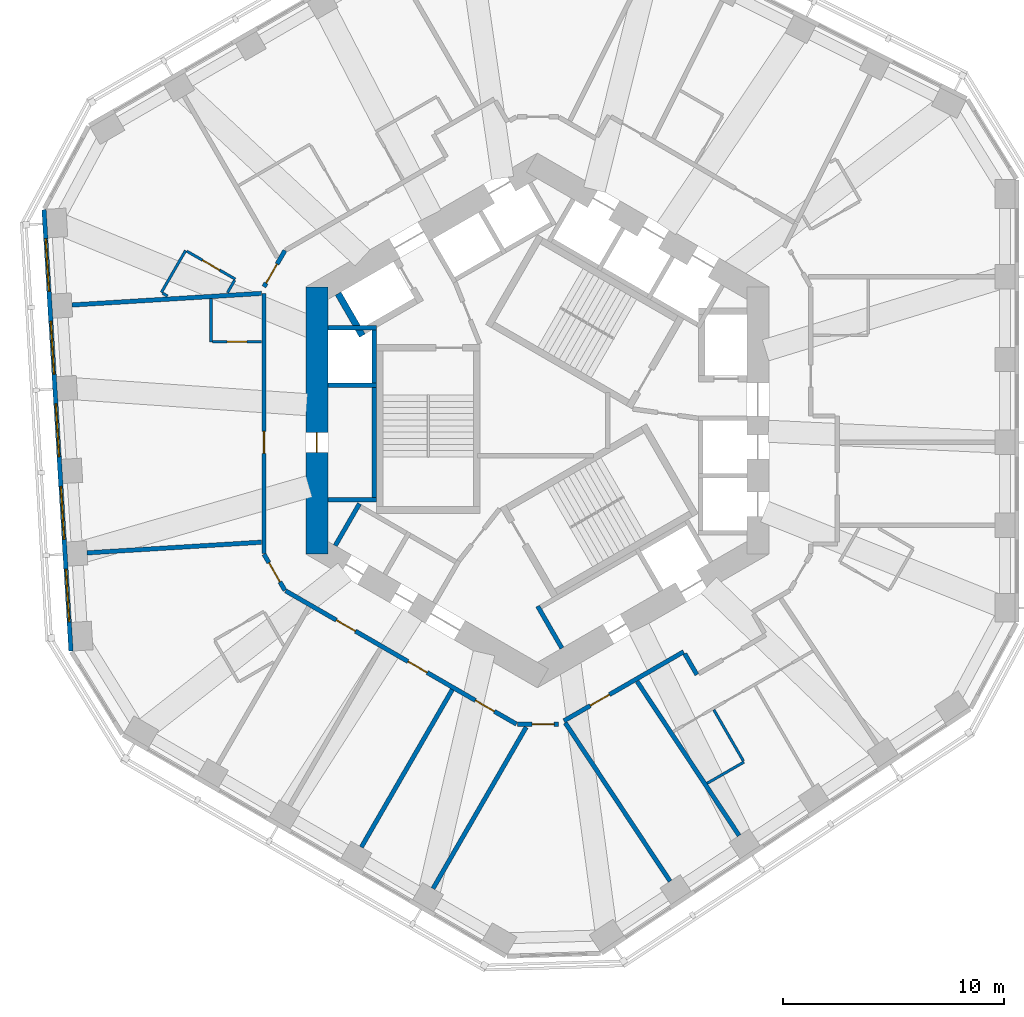
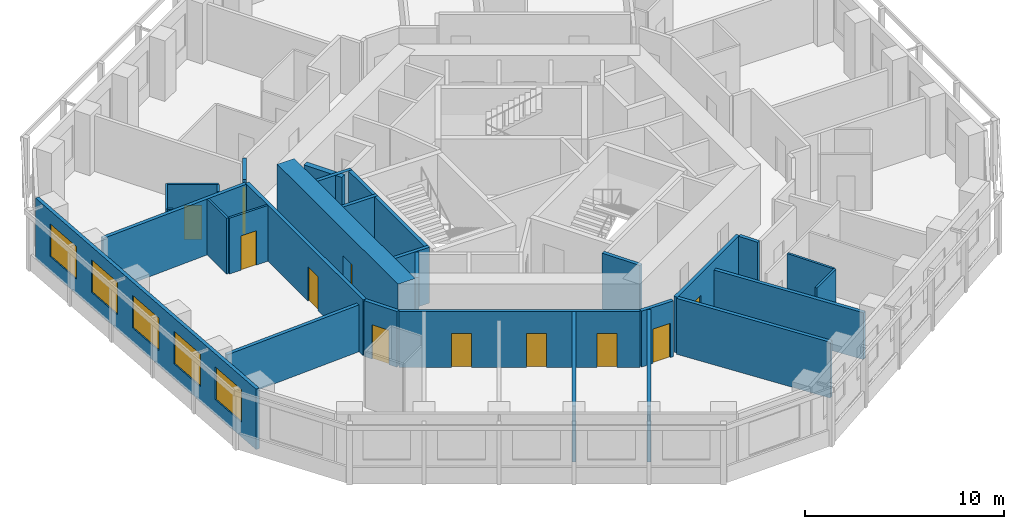
# One storey, part 4 of 11: 30 walls, 11 doors, 5 windows, 16 openings.
"""IFC4 building model written with IfcOpenShell, lengths in metres."""

from ifc_helpers import new_model, si_unit, direction, frame, frame_2d, origin, place, context, subcontext, project, spatial, rectangle, extrude, material, layer, layer_set, type_object, element, fill, save


model = new_model("IFC4")

# Units and contexts
model_context = context("Model", 3, precision=1e-05, world=origin(), true_north=direction((0.0, 1.0)))
body_context = subcontext(model_context, "Body", "Model", "MODEL_VIEW")
ifc_project = project(units=[si_unit("LENGTHUNIT", "METRE"), si_unit("AREAUNIT", "SQUARE_METRE"), si_unit("VOLUMEUNIT", "CUBIC_METRE"), si_unit("PLANEANGLEUNIT", "RADIAN"), si_unit("MASSUNIT", "GRAM", prefix="KILO")], contexts=[model_context])

# Site, building, storey
site_placement = place(None, origin())
site = spatial("IfcSite", under=ifc_project, at=site_placement, CompositionType="ELEMENT")
building_placement = place(site_placement, origin())
building = spatial("IfcBuilding", under=site, at=building_placement, Name="Vanh Sen Convention Tower", CompositionType="ELEMENT")
storey_placement = place(building_placement, frame((0.0, 0.0, 128.10009765625)))
storey = spatial("IfcBuildingStorey", under=building, at=storey_placement, Name="L31", CompositionType="ELEMENT", Elevation=128.10009765625)

# Walls
ifc_material_1 = material(Name="Moisture-resistant gypsum board on steel studs", Category="steel")
ifc_layer_1 = layer(ifc_material_1, 0.1201171875)
ifc_layer_set_1 = layer_set([ifc_layer_1], Name="Moisture-resistant gypsum board on steel studs")
wall_type_1 = type_object("IfcWallType", Name="Bathroom partition 120", PredefinedType="PARTITIONING", material=ifc_layer_set_1)
wall_1_placement = place(storey_placement, frame((-17.052490234375, 5.8037109375, 0.0), z_axis=(0.0, 0.0, 1.0), x_axis=(0.50002983664, 0.866008176907, 0.0)))
element("IfcWall", 1, at=wall_1_placement, inside=storey, type_object=wall_type_1, Name="Bathroom partition 120", PredefinedType="PARTITIONING", context=body_context, shape_type="SweptSolid", body=[
    extrude(rectangle(XDim=2.199951171875, YDim=0.1201171875, at=frame_2d((1.10009765625, 0.0))), origin(), (0.0, 0.0, 1.0), 3.419921875),
])
wall_2_placement = place(storey_placement, frame((-16.769287109375, 5.64013671875, 0.0), z_axis=(0.0, 0.0, 1.0), x_axis=(-0.865926680471, 0.500170954823, 0.0)))
element("IfcWall", 2, at=wall_2_placement, inside=storey, type_object=wall_type_1, Name="Bathroom partition 120", PredefinedType="PARTITIONING", context=body_context, shape_type="SweptSolid", body=[
    extrude(rectangle(XDim=0.26708984375, YDim=0.1201171875, at=frame_2d((0.133544921875, 0.0))), origin(), (0.0, 0.0, 1.0), 3.419921875),
])

# Wall, opening, door
wall_3_placement = place(storey_placement, frame((-15.900390625, 7.67919921875, 0.0), z_axis=(0.0, 0.0, 1.0), x_axis=(0.866022320763, -0.500005339912, 0.0)))
wall_3 = element("IfcWall", 3, at=wall_3_placement, inside=storey, type_object=wall_type_1, Name="Bathroom partition 120", PredefinedType="PARTITIONING", context=body_context, shape_type="SweptSolid", body=[
    extrude(rectangle(XDim=2.5400390625, YDim=0.1201171875, at=frame_2d((1.27001953125, 0.0))), origin(), (0.0, 0.0, 1.0), 3.419921875),
])
opening_1_placement = place(wall_3_placement, frame((0.820068359375, 0.0, 0.0)))
opening_1 = element("IfcOpeningElement", 4, at=opening_1_placement, cuts=wall_3, Name="Opening D30114", PredefinedType="OPENING", context=body_context, shape_type="SweptSolid", body=[
    extrude(rectangle(XDim=0.89990234375, YDim=2.10009765625, at=frame_2d((0.449951171875, 1.050048828125))), frame((0.0, 0.070068359375, 0.0), z_axis=(0.0, -1.0, 0.0), x_axis=(1.0, 0.0, 0.0)), (0.0, 0.0, 1.0), 0.14013671875),
])
ifc_material_2 = material(Name="Laminate door in steel frame", Category="steel")
door_type_1 = type_object("IfcDoorType", Name="Room internal door 900", OperationType="SINGLE_SWING_LEFT", PredefinedType="DOOR", material=ifc_material_2)
door_1_placement = place(opening_1_placement, origin())
door_1 = element("IfcDoor", 5, at=door_1_placement, inside=storey, type_object=door_type_1, Name="Internal room door D30114", OperationType="SINGLE_SWING_LEFT", OverallHeight=2.10009765625, OverallWidth=0.89990234375, PredefinedType="DOOR", context=body_context, shape_type="SweptSolid", body=[
    extrude(rectangle(XDim=0.89990234375, YDim=2.10009765625, at=frame_2d((0.449951171875, 1.050048828125))), frame((0.0, 0.02490234375, 0.0), z_axis=(0.0, -1.0, 0.0), x_axis=(1.0, 0.0, 0.0)), (0.0, 0.0, 1.0), 0.050048828125),
])
fill(opening_1, door_1)

# Walls
wall_4_placement = place(storey_placement, frame((-14.800048828125, 3.569091796875, 0.0), z_axis=(0.0, 0.0, 1.0), x_axis=(0.0, 1.0, 0.0)))
element("IfcWall", 6, at=wall_4_placement, inside=storey, type_object=wall_type_1, Name="Bathroom partition 120", PredefinedType="PARTITIONING", context=body_context, shape_type="SweptSolid", body=[
    extrude(rectangle(XDim=1.953369140625, YDim=0.1201171875, at=frame_2d((0.9765625, 0.0))), origin(), (0.0, 0.0, 1.0), 3.419921875),
])
wall_5_placement = place(storey_placement, frame((-13.730712890625, 6.357177734375, 0.0), z_axis=(0.0, 0.0, 1.0), x_axis=(-0.500090215447, -0.865973311606, 0.0)))
element("IfcWall", 7, at=wall_5_placement, inside=storey, type_object=wall_type_1, Name="Bathroom partition 120", PredefinedType="PARTITIONING", context=body_context, shape_type="SweptSolid", body=[
    extrude(rectangle(XDim=0.6513671875, YDim=0.1201171875, at=frame_2d((0.32568359375, 0.0))), origin(), (0.0, 0.0, 1.0), 3.419921875),
])

# Wall, opening, door
wall_6_placement = place(storey_placement, frame((-12.5, 3.569091796875, 0.0), z_axis=(0.0, 0.0, 1.0), x_axis=(-1.0, 0.0, 0.0)))
wall_6 = element("IfcWall", 8, at=wall_6_placement, inside=storey, type_object=wall_type_1, Name="Bathroom partition 120", PredefinedType="PARTITIONING", context=body_context, shape_type="SweptSolid", body=[
    extrude(rectangle(XDim=2.239990234375, YDim=0.1201171875, at=frame_2d((1.1201171875, 0.0))), origin(), (0.0, 0.0, 1.0), 3.419921875),
])
opening_2_placement = place(wall_6_placement, frame((0.669921875, 0.0, 0.0)))
opening_2 = element("IfcOpeningElement", 9, at=opening_2_placement, cuts=wall_6, Name="Opening D30116", PredefinedType="OPENING", context=body_context, shape_type="SweptSolid", body=[
    extrude(rectangle(XDim=0.89990234375, YDim=2.10009765625, at=frame_2d((0.449951171875, 1.050048828125))), frame((0.0, 0.070068359375, 0.0), z_axis=(0.0, -1.0, 0.0), x_axis=(1.0, 0.0, 0.0)), (0.0, 0.0, 1.0), 0.14013671875),
])
door_2_placement = place(opening_2_placement, origin())
door_2 = element("IfcDoor", 10, at=door_2_placement, inside=storey, type_object=door_type_1, Name="Internal room door D30116", OperationType="SINGLE_SWING_LEFT", OverallHeight=2.10009765625, OverallWidth=0.89990234375, PredefinedType="DOOR", context=body_context, shape_type="SweptSolid", body=[
    extrude(rectangle(XDim=0.89990234375, YDim=2.10009765625, at=frame_2d((0.449951171875, 1.050048828125))), frame((0.0, 0.02490234375, 0.0), z_axis=(0.0, -1.0, 0.0), x_axis=(1.0, 0.0, 0.0)), (0.0, 0.0, 1.0), 0.050048828125),
])
fill(opening_2, door_2)

# Walls
wall_7_placement = place(storey_placement, frame((7.699951171875, -16.45556640625, 0.0), z_axis=(0.0, 0.0, 1.0), x_axis=(0.86603803935, 0.499978113919, 0.0)))
element("IfcWall", 11, at=wall_7_placement, inside=storey, type_object=wall_type_1, Name="Bathroom partition 120", PredefinedType="PARTITIONING", context=body_context, shape_type="SweptSolid", body=[
    extrude(rectangle(XDim=1.9287109375, YDim=0.1201171875, at=frame_2d((0.96435546875, 0.0))), origin(), (0.0, 0.0, 1.0), 3.419921875),
])
wall_8_placement = place(storey_placement, frame((9.34033203125, -15.439208984375, 0.0), z_axis=(0.0, 0.0, 1.0), x_axis=(-0.500048396672, 0.86599746015, 0.0)))
element("IfcWall", 12, at=wall_8_placement, inside=storey, type_object=wall_type_1, Name="Bathroom partition 120", PredefinedType="PARTITIONING", context=body_context, shape_type="SweptSolid", body=[
    extrude(rectangle(XDim=2.679931640625, YDim=0.1201171875, at=frame_2d((1.33984375, 0.0))), origin(), (0.0, 0.0, 1.0), 3.419921875),
])

# Wall, opening, door
ifc_material_3 = material(Name="Concrete C80/95", Category="concrete")
ifc_layer_2 = layer(ifc_material_3, 1.0)
ifc_layer_set_2 = layer_set([ifc_layer_2], Name="Concrete C80/95")
wall_type_2 = type_object("IfcWallType", Name="Core outer wall 1000 C80/95", PredefinedType="SHEAR", material=ifc_layer_set_2)
wall_9_placement = place(storey_placement, frame((-10.0, 6.062255859375, 0.0), z_axis=(0.0, 0.0, 1.0), x_axis=(0.0, -1.0, 0.0)))
wall_9 = element("IfcWall", 13, at=wall_9_placement, inside=storey, type_object=wall_type_2, Name="Core wall face W L31", PredefinedType="SHEAR", context=body_context, shape_type="SweptSolid", body=[
    extrude(rectangle(XDim=12.12451171875, YDim=1.0, at=frame_2d((6.062255859375, 0.0))), origin(), (0.0, 0.0, 1.0), 3.699951171875),
])
opening_3_placement = place(wall_9_placement, frame((6.6123046875, 0.0, 0.0)))
opening_3 = element("IfcOpeningElement", 14, at=opening_3_placement, cuts=wall_9, Name="Opening D30010", PredefinedType="OPENING", context=body_context, shape_type="SweptSolid", body=[
    extrude(rectangle(XDim=0.89990234375, YDim=2.10009765625, at=frame_2d((0.449951171875, 1.050048828125))), frame((0.0, 0.510009765625, 0.0), z_axis=(0.0, -1.0, 0.0), x_axis=(1.0, 0.0, 0.0)), (0.0, 0.0, 1.0), 1.02001953125),
])
ifc_material_4 = material(Name="Steel S355", Category="steel")
door_type_2 = type_object("IfcDoorType", Name="Plant door 900", OperationType="SINGLE_SWING_LEFT", PredefinedType="DOOR", material=ifc_material_4)
door_3_placement = place(opening_3_placement, origin())
door_3 = element("IfcDoor", 15, at=door_3_placement, inside=storey, type_object=door_type_2, Name="Plant door D30010", OperationType="SINGLE_SWING_LEFT", OverallHeight=2.10009765625, OverallWidth=0.89990234375, PredefinedType="DOOR", context=body_context, shape_type="SweptSolid", body=[
    extrude(rectangle(XDim=0.89990234375, YDim=2.10009765625, at=frame_2d((0.449951171875, 1.050048828125))), frame((0.0, 0.02490234375, 0.0), z_axis=(0.0, -1.0, 0.0), x_axis=(1.0, 0.0, 0.0)), (0.0, 0.0, 1.0), 0.050048828125),
])
fill(opening_3, door_3)

ifc_material_5 = material(Name="Gypsum board on steel studs with mineral wool", Category="steel")
ifc_layer_3 = layer(ifc_material_5, 0.199951171875)
ifc_layer_set_3 = layer_set([ifc_layer_3], Name="Gypsum board on steel studs with mineral wool")
wall_type_3 = type_object("IfcWallType", Name="Corridor partition wall 200", PredefinedType="PARTITIONING", material=ifc_layer_set_3)
wall_10_placement = place(storey_placement, frame((-12.39990234375, -6.062255859375, 0.0), z_axis=(0.0, 0.0, 1.0), x_axis=(0.500022797313, -0.86601224135, 0.0)))
wall_10 = element("IfcWall", 16, at=wall_10_placement, inside=storey, type_object=wall_type_3, Name="Corridor partition wall 200", PredefinedType="PARTITIONING", context=body_context, shape_type="SweptSolid", body=[
    extrude(rectangle(XDim=1.89990234375, YDim=0.199951171875, at=frame_2d((0.949951171875, 0.0))), origin(), (0.0, 0.0, 1.0), 3.419921875),
])
opening_4_placement = place(wall_10_placement, frame((0.449951171875, 0.0, 0.0)))
opening_4 = element("IfcOpeningElement", 17, at=opening_4_placement, cuts=wall_10, Name="Opening D30117", PredefinedType="OPENING", context=body_context, shape_type="SweptSolid", body=[
    extrude(rectangle(XDim=1.0, YDim=2.10009765625, at=frame_2d((0.5, 1.050048828125))), frame((0.0, 0.10986328125, 0.0), z_axis=(0.0, -1.0, 0.0), x_axis=(1.0, 0.0, 0.0)), (0.0, 0.0, 1.0), 0.219970703125),
])
ifc_material_6 = material(Name="Glazed fire door in steel frame", Category="steel")
door_type_3 = type_object("IfcDoorType", Name="Tenant entrance door 1000", OperationType="SINGLE_SWING_LEFT", PredefinedType="DOOR", material=ifc_material_6)
door_4_placement = place(opening_4_placement, origin())
door_4 = element("IfcDoor", 18, at=door_4_placement, inside=storey, type_object=door_type_3, Name="Tenant suite entrance door D30117", OperationType="SINGLE_SWING_LEFT", OverallHeight=2.10009765625, OverallWidth=1.0, PredefinedType="DOOR", context=body_context, shape_type="SweptSolid", body=[
    extrude(rectangle(XDim=1.0, YDim=2.10009765625, at=frame_2d((0.5, 1.050048828125))), frame((0.0, 0.02490234375, 0.0), z_axis=(0.0, -1.0, 0.0), x_axis=(1.0, 0.0, 0.0)), (0.0, 0.0, 1.0), 0.050048828125),
])
fill(opening_4, door_4)

wall_11_placement = place(storey_placement, frame((-12.39990234375, 5.769287109375, 0.0), z_axis=(0.0, 0.0, 1.0), x_axis=(0.0, -1.0, 0.0)))
wall_11 = element("IfcWall", 19, at=wall_11_placement, inside=storey, type_object=wall_type_3, Name="Corridor partition wall 200", PredefinedType="PARTITIONING", context=body_context, shape_type="SweptSolid", body=[
    extrude(rectangle(XDim=11.79150390625, YDim=0.199951171875, at=frame_2d((5.895751953125, 0.0))), origin(), (0.0, 0.0, 1.0), 3.419921875),
])
opening_5_placement = place(wall_11_placement, frame((6.2666015625, 0.0, 0.0)))
opening_5 = element("IfcOpeningElement", 20, at=opening_5_placement, cuts=wall_11, Name="Opening D30115", PredefinedType="OPENING", context=body_context, shape_type="SweptSolid", body=[
    extrude(rectangle(XDim=1.0, YDim=2.10009765625, at=frame_2d((0.5, 1.050048828125))), frame((0.0, 0.10986328125, 0.0), z_axis=(0.0, -1.0, 0.0), x_axis=(1.0, 0.0, 0.0)), (0.0, 0.0, 1.0), 0.219970703125),
])
door_5_placement = place(opening_5_placement, origin())
door_5 = element("IfcDoor", 21, at=door_5_placement, inside=storey, type_object=door_type_3, Name="Tenant suite entrance door D30115", OperationType="SINGLE_SWING_LEFT", OverallHeight=2.10009765625, OverallWidth=1.0, PredefinedType="DOOR", context=body_context, shape_type="SweptSolid", body=[
    extrude(rectangle(XDim=1.0, YDim=2.10009765625, at=frame_2d((0.5, 1.050048828125))), frame((0.0, 0.02490234375, 0.0), z_axis=(0.0, -1.0, 0.0), x_axis=(1.0, 0.0, 0.0)), (0.0, 0.0, 1.0), 0.050048828125),
])
fill(opening_5, door_5)

wall_12_placement = place(storey_placement, frame((-11.449951171875, 7.70751953125, 0.0), z_axis=(0.0, 0.0, 1.0), x_axis=(-0.500022797313, -0.86601224135, 0.0)))
wall_12 = element("IfcWall", 22, at=wall_12_placement, inside=storey, type_object=wall_type_3, Name="Corridor partition wall 200", PredefinedType="PARTITIONING", context=body_context, shape_type="SweptSolid", body=[
    extrude(rectangle(XDim=1.89990234375, YDim=0.199951171875, at=frame_2d((0.949951171875, 0.0))), origin(), (0.0, 0.0, 1.0), 3.419921875),
])
opening_6_placement = place(wall_12_placement, frame((0.711669921875, 0.0, 0.0)))
opening_6 = element("IfcOpeningElement", 23, at=opening_6_placement, cuts=wall_12, Name="Opening D30113", PredefinedType="OPENING", context=body_context, shape_type="SweptSolid", body=[
    extrude(rectangle(XDim=1.0, YDim=2.10009765625, at=frame_2d((0.5, 1.050048828125))), frame((0.0, 0.10986328125, 0.0), z_axis=(0.0, -1.0, 0.0), x_axis=(1.0, 0.0, 0.0)), (0.0, 0.0, 1.0), 0.219970703125),
])
door_6_placement = place(opening_6_placement, origin())
door_6 = element("IfcDoor", 24, at=door_6_placement, inside=storey, type_object=door_type_3, Name="Tenant suite entrance door D30113", OperationType="SINGLE_SWING_LEFT", OverallHeight=2.10009765625, OverallWidth=1.0, PredefinedType="DOOR", context=body_context, shape_type="SweptSolid", body=[
    extrude(rectangle(XDim=1.0, YDim=2.10009765625, at=frame_2d((0.5, 1.050048828125))), frame((0.0, 0.02490234375, 0.0), z_axis=(0.0, -1.0, 0.0), x_axis=(1.0, 0.0, 0.0)), (0.0, 0.0, 1.0), 0.050048828125),
])
fill(opening_6, door_6)

# Wall, openings, doors
wall_13_placement = place(storey_placement, frame((-11.415283203125, -7.7275390625, 0.0), z_axis=(0.0, 0.0, 1.0), x_axis=(0.866022749921, -0.500004596598, 0.0)))
wall_13 = element("IfcWall", 25, at=wall_13_placement, inside=storey, type_object=wall_type_3, Name="Corridor partition wall 200", PredefinedType="PARTITIONING", context=body_context, shape_type="SweptSolid", body=[
    extrude(rectangle(XDim=12.08447265625, YDim=0.199951171875, at=frame_2d((6.042236328125, 0.0))), origin(), (0.0, 0.0, 1.0), 3.419921875),
])
opening_7_placement = place(wall_13_placement, frame((2.65234375, 0.0, 0.0)))
opening_7 = element("IfcOpeningElement", 26, at=opening_7_placement, cuts=wall_13, Name="Opening D30119", PredefinedType="OPENING", context=body_context, shape_type="SweptSolid", body=[
    extrude(rectangle(XDim=1.0, YDim=2.10009765625, at=frame_2d((0.5, 1.050048828125))), frame((0.0, 0.10986328125, 0.0), z_axis=(0.0, -1.0, 0.0), x_axis=(1.0, 0.0, 0.0)), (0.0, 0.0, 1.0), 0.219970703125),
])
opening_8_placement = place(wall_13_placement, frame((6.406494140625, 0.0, 0.0)))
opening_8 = element("IfcOpeningElement", 27, at=opening_8_placement, cuts=wall_13, Name="Opening D30120", PredefinedType="OPENING", context=body_context, shape_type="SweptSolid", body=[
    extrude(rectangle(XDim=1.0, YDim=2.10009765625, at=frame_2d((0.5, 1.050048828125))), frame((0.0, 0.10986328125, 0.0), z_axis=(0.0, -1.0, 0.0), x_axis=(1.0, 0.0, 0.0)), (0.0, 0.0, 1.0), 0.219970703125),
])
opening_9_placement = place(wall_13_placement, frame((9.93408203125, 0.0, 0.0)))
opening_9 = element("IfcOpeningElement", 28, at=opening_9_placement, cuts=wall_13, Name="Opening D30121", PredefinedType="OPENING", context=body_context, shape_type="SweptSolid", body=[
    extrude(rectangle(XDim=1.0, YDim=2.10009765625, at=frame_2d((0.5, 1.050048828125))), frame((0.0, 0.10986328125, 0.0), z_axis=(0.0, -1.0, 0.0), x_axis=(1.0, 0.0, 0.0)), (0.0, 0.0, 1.0), 0.219970703125),
])
door_7_placement = place(opening_7_placement, origin())
door_7 = element("IfcDoor", 29, at=door_7_placement, inside=storey, type_object=door_type_3, Name="Tenant suite entrance door D30119", OperationType="SINGLE_SWING_LEFT", OverallHeight=2.10009765625, OverallWidth=1.0, PredefinedType="DOOR", context=body_context, shape_type="SweptSolid", body=[
    extrude(rectangle(XDim=1.0, YDim=2.10009765625, at=frame_2d((0.5, 1.050048828125))), frame((0.0, 0.02490234375, 0.0), z_axis=(0.0, -1.0, 0.0), x_axis=(1.0, 0.0, 0.0)), (0.0, 0.0, 1.0), 0.050048828125),
])
fill(opening_7, door_7)
door_8_placement = place(opening_8_placement, origin())
door_8 = element("IfcDoor", 30, at=door_8_placement, inside=storey, type_object=door_type_3, Name="Tenant suite entrance door D30120", OperationType="SINGLE_SWING_LEFT", OverallHeight=2.10009765625, OverallWidth=1.0, PredefinedType="DOOR", context=body_context, shape_type="SweptSolid", body=[
    extrude(rectangle(XDim=1.0, YDim=2.10009765625, at=frame_2d((0.5, 1.050048828125))), frame((0.0, 0.02490234375, 0.0), z_axis=(0.0, -1.0, 0.0), x_axis=(1.0, 0.0, 0.0)), (0.0, 0.0, 1.0), 0.050048828125),
])
fill(opening_8, door_8)
door_9_placement = place(opening_9_placement, origin())
door_9 = element("IfcDoor", 31, at=door_9_placement, inside=storey, type_object=door_type_3, Name="Tenant suite entrance door D30121", OperationType="SINGLE_SWING_LEFT", OverallHeight=2.10009765625, OverallWidth=1.0, PredefinedType="DOOR", context=body_context, shape_type="SweptSolid", body=[
    extrude(rectangle(XDim=1.0, YDim=2.10009765625, at=frame_2d((0.5, 1.050048828125))), frame((0.0, 0.02490234375, 0.0), z_axis=(0.0, -1.0, 0.0), x_axis=(1.0, 0.0, 0.0)), (0.0, 0.0, 1.0), 0.050048828125),
])
fill(opening_9, door_9)

# Wall, opening, door
wall_14_placement = place(storey_placement, frame((-0.909912109375, -13.769775390625, 0.0), z_axis=(0.0, 0.0, 1.0), x_axis=(1.0, 0.0, 0.0)))
wall_14 = element("IfcWall", 32, at=wall_14_placement, inside=storey, type_object=wall_type_3, Name="Corridor partition wall 200", PredefinedType="PARTITIONING", context=body_context, shape_type="SweptSolid", body=[
    extrude(rectangle(XDim=1.85986328125, YDim=0.199951171875, at=frame_2d((0.929931640625, 0.0))), origin(), (0.0, 0.0, 1.0), 3.419921875),
])
opening_10_placement = place(wall_14_placement, frame((0.671630859375, 0.0, 0.0)))
opening_10 = element("IfcOpeningElement", 33, at=opening_10_placement, cuts=wall_14, Name="Opening D30122", PredefinedType="OPENING", context=body_context, shape_type="SweptSolid", body=[
    extrude(rectangle(XDim=1.0, YDim=2.10009765625, at=frame_2d((0.5, 1.050048828125))), frame((0.0, 0.10986328125, 0.0), z_axis=(0.0, -1.0, 0.0), x_axis=(1.0, 0.0, 0.0)), (0.0, 0.0, 1.0), 0.219970703125),
])
door_10_placement = place(opening_10_placement, origin())
door_10 = element("IfcDoor", 34, at=door_10_placement, inside=storey, type_object=door_type_3, Name="Tenant suite entrance door D30122", OperationType="SINGLE_SWING_LEFT", OverallHeight=2.10009765625, OverallWidth=1.0, PredefinedType="DOOR", context=body_context, shape_type="SweptSolid", body=[
    extrude(rectangle(XDim=1.0, YDim=2.10009765625, at=frame_2d((0.5, 1.050048828125))), frame((0.0, 0.02490234375, 0.0), z_axis=(0.0, -1.0, 0.0), x_axis=(1.0, 0.0, 0.0)), (0.0, 0.0, 1.0), 0.050048828125),
])
fill(opening_10, door_10)

wall_15_placement = place(storey_placement, frame((1.20361328125, -13.623291015625, 0.0), z_axis=(0.0, 0.0, 1.0), x_axis=(0.866031867142, 0.49998880497, 0.0)))
wall_15 = element("IfcWall", 35, at=wall_15_placement, inside=storey, type_object=wall_type_3, Name="Corridor partition wall 200", PredefinedType="PARTITIONING", context=body_context, shape_type="SweptSolid", body=[
    extrude(rectangle(XDim=6.268310546875, YDim=0.199951171875, at=frame_2d((3.13427734375, 0.0))), origin(), (0.0, 0.0, 1.0), 3.419921875),
])
opening_11_placement = place(wall_15_placement, frame((1.380615234375, 0.0, 0.0)))
opening_11 = element("IfcOpeningElement", 36, at=opening_11_placement, cuts=wall_15, Name="Opening D30123", PredefinedType="OPENING", context=body_context, shape_type="SweptSolid", body=[
    extrude(rectangle(XDim=1.0, YDim=2.10009765625, at=frame_2d((0.5, 1.050048828125))), frame((0.0, 0.10986328125, 0.0), z_axis=(0.0, -1.0, 0.0), x_axis=(1.0, 0.0, 0.0)), (0.0, 0.0, 1.0), 0.219970703125),
])
door_11_placement = place(opening_11_placement, origin())
door_11 = element("IfcDoor", 37, at=door_11_placement, inside=storey, type_object=door_type_3, Name="Tenant suite entrance door D30123", OperationType="SINGLE_SWING_LEFT", OverallHeight=2.10009765625, OverallWidth=1.0, PredefinedType="DOOR", context=body_context, shape_type="SweptSolid", body=[
    extrude(rectangle(XDim=1.0, YDim=2.10009765625, at=frame_2d((0.5, 1.050048828125))), frame((0.0, 0.02490234375, 0.0), z_axis=(0.0, -1.0, 0.0), x_axis=(1.0, 0.0, 0.0)), (0.0, 0.0, 1.0), 0.050048828125),
])
fill(opening_11, door_11)

# Wall
wall_16_placement = place(storey_placement, frame((6.68212890625, -10.57568359375, 0.0), z_axis=(0.0, 0.0, 1.0), x_axis=(0.499978356969, -0.866037899034, 0.0)))
element("IfcWall", 38, at=wall_16_placement, inside=storey, type_object=wall_type_3, Name="Corridor partition wall 200", PredefinedType="PARTITIONING", context=body_context, shape_type="SweptSolid", body=[
    extrude(rectangle(XDim=1.10107421875, YDim=0.199951171875, at=frame_2d((0.550537109375, 0.0))), origin(), (0.0, 0.0, 1.0), 3.419921875),
])

# Wall, openings, windows
ifc_material_7 = material(Name="Insulated lightweight infill wall")
ifc_layer_4 = layer(ifc_material_7, 0.199951171875)
ifc_layer_set_4 = layer_set([ifc_layer_4], Name="Insulated lightweight infill wall")
wall_type_4 = type_object("IfcWallType", Name="External wall 200", PredefinedType="STANDARD", material=ifc_layer_set_4)
wall_17_placement = place(storey_placement, frame((-22.375, 9.55712890625, 0.0), z_axis=(0.0, 0.0, 1.0), x_axis=(0.061036015339, -0.998135564356, 0.0)))
wall_17 = element("IfcWall", 39, at=wall_17_placement, inside=storey, type_object=wall_type_4, Name="External wall W L31", PredefinedType="STANDARD", context=body_context, shape_type="SweptSolid", body=[
    extrude(rectangle(XDim=20.043701171875, YDim=0.199951171875, at=frame_2d((10.02197265625, 0.0))), origin(), (0.0, 0.0, 1.0), 3.699951171875),
])
opening_12_placement = place(wall_17_placement, frame((1.312744140625, 0.0, 0.89990234375)))
opening_12 = element("IfcOpeningElement", 40, at=opening_12_placement, cuts=wall_17, Name="Opening WO1-W1", PredefinedType="OPENING", context=body_context, shape_type="SweptSolid", body=[
    extrude(rectangle(XDim=2.39990234375, YDim=2.0, at=frame_2d((1.199951171875, 1.0))), frame((0.0, 0.10986328125, 0.0), z_axis=(0.0, -1.0, 0.0), x_axis=(1.0, 0.0, 0.0)), (0.0, 0.0, 1.0), 0.219970703125),
])
opening_13_placement = place(wall_17_placement, frame((5.06689453125, 0.0, 0.89990234375)))
opening_13 = element("IfcOpeningElement", 41, at=opening_13_placement, cuts=wall_17, Name="Opening WO1-W2", PredefinedType="OPENING", context=body_context, shape_type="SweptSolid", body=[
    extrude(rectangle(XDim=2.39990234375, YDim=2.0, at=frame_2d((1.199951171875, 1.0))), frame((0.0, 0.10986328125, 0.0), z_axis=(0.0, -1.0, 0.0), x_axis=(1.0, 0.0, 0.0)), (0.0, 0.0, 1.0), 0.219970703125),
])
opening_14_placement = place(wall_17_placement, frame((8.821044921875, 0.0, 0.89990234375)))
opening_14 = element("IfcOpeningElement", 42, at=opening_14_placement, cuts=wall_17, Name="Opening WO1-W3", PredefinedType="OPENING", context=body_context, shape_type="SweptSolid", body=[
    extrude(rectangle(XDim=2.39990234375, YDim=2.0, at=frame_2d((1.199951171875, 1.0))), frame((0.0, 0.10986328125, 0.0), z_axis=(0.0, -1.0, 0.0), x_axis=(1.0, 0.0, 0.0)), (0.0, 0.0, 1.0), 0.219970703125),
])
opening_15_placement = place(wall_17_placement, frame((12.5751953125, 0.0, 0.89990234375)))
opening_15 = element("IfcOpeningElement", 43, at=opening_15_placement, cuts=wall_17, Name="Opening WO1-W4", PredefinedType="OPENING", context=body_context, shape_type="SweptSolid", body=[
    extrude(rectangle(XDim=2.39990234375, YDim=2.0, at=frame_2d((1.199951171875, 1.0))), frame((0.0, 0.10986328125, 0.0), z_axis=(0.0, -1.0, 0.0), x_axis=(1.0, 0.0, 0.0)), (0.0, 0.0, 1.0), 0.219970703125),
])
opening_16_placement = place(wall_17_placement, frame((16.329345703125, 0.0, 0.89990234375)))
opening_16 = element("IfcOpeningElement", 44, at=opening_16_placement, cuts=wall_17, Name="Opening WO1-W5", PredefinedType="OPENING", context=body_context, shape_type="SweptSolid", body=[
    extrude(rectangle(XDim=2.39990234375, YDim=2.0, at=frame_2d((1.199951171875, 1.0))), frame((0.0, 0.10986328125, 0.0), z_axis=(0.0, -1.0, 0.0), x_axis=(1.0, 0.0, 0.0)), (0.0, 0.0, 1.0), 0.219970703125),
])
ifc_material_8 = material(Name="Aluminium frame with clear low-emissivity glass", Category="aluminium")
window_type = type_object("IfcWindowType", Name="Office window 2400 x 2000", PartitioningType="SINGLE_PANEL", PredefinedType="WINDOW", material=ifc_material_8)
window_1_placement = place(opening_12_placement, origin())
window_1 = element("IfcWindow", 45, at=window_1_placement, inside=storey, type_object=window_type, Name="Window WO1-W1", OverallHeight=2.0, OverallWidth=2.39990234375, PartitioningType="SINGLE_PANEL", PredefinedType="WINDOW", context=body_context, shape_type="SweptSolid", body=[
    extrude(rectangle(XDim=2.39990234375, YDim=2.0, at=frame_2d((1.199951171875, 1.0))), frame((0.0, 0.030029296875, 0.0), z_axis=(0.0, -1.0, 0.0), x_axis=(1.0, 0.0, 0.0)), (0.0, 0.0, 1.0), 0.06005859375),
])
fill(opening_12, window_1)
window_2_placement = place(opening_13_placement, origin())
window_2 = element("IfcWindow", 46, at=window_2_placement, inside=storey, type_object=window_type, Name="Window WO1-W2", OverallHeight=2.0, OverallWidth=2.39990234375, PartitioningType="SINGLE_PANEL", PredefinedType="WINDOW", context=body_context, shape_type="SweptSolid", body=[
    extrude(rectangle(XDim=2.39990234375, YDim=2.0, at=frame_2d((1.199951171875, 1.0))), frame((0.0, 0.030029296875, 0.0), z_axis=(0.0, -1.0, 0.0), x_axis=(1.0, 0.0, 0.0)), (0.0, 0.0, 1.0), 0.06005859375),
])
fill(opening_13, window_2)
window_3_placement = place(opening_14_placement, origin())
window_3 = element("IfcWindow", 47, at=window_3_placement, inside=storey, type_object=window_type, Name="Window WO1-W3", OverallHeight=2.0, OverallWidth=2.39990234375, PartitioningType="SINGLE_PANEL", PredefinedType="WINDOW", context=body_context, shape_type="SweptSolid", body=[
    extrude(rectangle(XDim=2.39990234375, YDim=2.0, at=frame_2d((1.199951171875, 1.0))), frame((0.0, 0.030029296875, 0.0), z_axis=(0.0, -1.0, 0.0), x_axis=(1.0, 0.0, 0.0)), (0.0, 0.0, 1.0), 0.06005859375),
])
fill(opening_14, window_3)
window_4_placement = place(opening_15_placement, origin())
window_4 = element("IfcWindow", 48, at=window_4_placement, inside=storey, type_object=window_type, Name="Window WO1-W4", OverallHeight=2.0, OverallWidth=2.39990234375, PartitioningType="SINGLE_PANEL", PredefinedType="WINDOW", context=body_context, shape_type="SweptSolid", body=[
    extrude(rectangle(XDim=2.39990234375, YDim=2.0, at=frame_2d((1.199951171875, 1.0))), frame((0.0, 0.030029296875, 0.0), z_axis=(0.0, -1.0, 0.0), x_axis=(1.0, 0.0, 0.0)), (0.0, 0.0, 1.0), 0.06005859375),
])
fill(opening_15, window_4)
window_5_placement = place(opening_16_placement, origin())
window_5 = element("IfcWindow", 49, at=window_5_placement, inside=storey, type_object=window_type, Name="Window WO1-W5", OverallHeight=2.0, OverallWidth=2.39990234375, PartitioningType="SINGLE_PANEL", PredefinedType="WINDOW", context=body_context, shape_type="SweptSolid", body=[
    extrude(rectangle(XDim=2.39990234375, YDim=2.0, at=frame_2d((1.199951171875, 1.0))), frame((0.0, 0.030029296875, 0.0), z_axis=(0.0, -1.0, 0.0), x_axis=(1.0, 0.0, 0.0)), (0.0, 0.0, 1.0), 0.06005859375),
])
fill(opening_16, window_5)

# Walls
ifc_material_9 = material(Name="Concrete C60/75", Category="concrete")
ifc_layer_5 = layer(ifc_material_9, 0.300048828125)
ifc_layer_set_5 = layer_set([ifc_layer_5], Name="Concrete C60/75")
wall_type_5 = type_object("IfcWallType", Name="Fire-fighting lift shaft wall 300", PredefinedType="SHEAR", material=ifc_layer_set_5)
wall_18_placement = place(storey_placement, frame((-7.936767578125, 3.846923828125, 0.0), z_axis=(0.0, 0.0, 1.0), x_axis=(-0.50002983664, 0.866008176907, 0.0)))
element("IfcWall", 50, at=wall_18_placement, inside=storey, type_object=wall_type_5, Name="Fire-fighting lift shaft wall L31", PredefinedType="SHEAR", context=body_context, shape_type="SweptSolid", body=[
    extrude(rectangle(XDim=2.199951171875, YDim=0.300048828125, at=frame_2d((1.10009765625, 0.0))), origin(), (0.0, 0.0, 1.0), 3.419921875),
])
ifc_material_10 = material(Name="Concrete C40/50", Category="concrete")
ifc_layer_6 = layer(ifc_material_10, 0.199951171875)
ifc_layer_set_6 = layer_set([ifc_layer_6], Name="Concrete C40/50")
wall_type_6 = type_object("IfcWallType", Name="Lift shaft wall 200", PredefinedType="PARTITIONING", material=ifc_layer_set_6)
wall_19_placement = place(storey_placement, frame((-7.39990234375, 4.300048828125, 0.0), z_axis=(0.0, 0.0, 1.0), x_axis=(0.0, -1.0, 0.0)))
element("IfcWall", 51, at=wall_19_placement, inside=storey, type_object=wall_type_6, Name="Lift shaft wall L31", PredefinedType="PARTITIONING", context=body_context, shape_type="SweptSolid", body=[
    extrude(rectangle(XDim=8.0, YDim=0.199951171875, at=frame_2d((4.0, 0.0))), origin(), (0.0, 0.0, 1.0), 3.419921875),
])
for number, where, z_axis, x_axis, name in (
    (52, (-7.300048828125, 4.199951171875, 0.0), (0.0, 0.0, 1.0), (-1.0, 0.0, 0.0), "Lift shaft wall L31"),
    (53, (-7.300048828125, 1.60009765625, 0.0), (0.0, 0.0, 1.0), (-1.0, 0.0, 0.0), "Lift shaft wall L31"),
    (54, (-7.300048828125, -3.60009765625, 0.0), (0.0, 0.0, 1.0), (-1.0, 0.0, 0.0), "Lift shaft wall L31"),
    (55, (-8.066650390625, -3.77197265625, 0.0), (0.0, 0.0, 1.0), (-0.50002983664, -0.866008176907, 0.0), "Lift shaft wall L31"),
    (56, (0.0126953125, -8.422119140625, 0.0), (0.0, 0.0, 1.0), (0.500077893725, -0.86598042715, 0.0), "Lift shaft wall L31"),
):
    element("IfcWall", number, at=place(storey_placement, frame(where, z_axis=z_axis, x_axis=x_axis)), inside=storey, type_object=wall_type_6, Name=name, PredefinedType="PARTITIONING", context=body_context, shape_type="SweptSolid", body=[
        extrude(rectangle(XDim=2.199951171875, YDim=0.199951171875, at=frame_2d((1.10009765625, 0.0))), origin(), (0.0, 0.0, 1.0), 3.419921875),
    ])
ifc_layer_7 = layer(ifc_material_5, 0.199951171875)
ifc_layer_set_7 = layer_set([ifc_layer_7], Name="Gypsum board on steel studs with mineral wool")
wall_type_7 = type_object("IfcWallType", Name="Tenant suite wall 200", PredefinedType="PARTITIONING", material=ifc_layer_set_7)
wall_20_placement = place(storey_placement, frame((-21.10888671875, 5.236572265625, 0.0), z_axis=(0.0, 0.0, 1.0), x_axis=(0.998135264293, 0.061040922131, 0.0)))
element("IfcWall", 57, at=wall_20_placement, inside=storey, type_object=wall_type_7, Name="Tenant suite wall 200", PredefinedType="PARTITIONING", context=body_context, shape_type="SweptSolid", body=[
    extrude(rectangle(XDim=8.615234375, YDim=0.199951171875, at=frame_2d((4.3076171875, 0.0))), origin(), (0.0, 0.0, 1.0), 3.419921875),
])
wall_21_placement = place(storey_placement, frame((-20.42138671875, -6.0048828125, 0.0), z_axis=(0.0, 0.0, 1.0), x_axis=(0.998134865741, 0.061047438866, 0.0)))
element("IfcWall", 58, at=wall_21_placement, inside=storey, type_object=wall_type_7, Name="Tenant suite wall 200", PredefinedType="PARTITIONING", context=body_context, shape_type="SweptSolid", body=[
    extrude(rectangle(XDim=7.926513671875, YDim=0.199951171875, at=frame_2d((3.96337890625, 0.0))), origin(), (0.0, 0.0, 1.0), 2.869873046875),
])
wall_22_placement = place(storey_placement, frame((-7.983642578125, -19.3505859375, 0.0), z_axis=(0.0, 0.0, 1.0), x_axis=(0.500009360108, 0.866019999656, 0.0)))
element("IfcWall", 59, at=wall_22_placement, inside=storey, type_object=wall_type_7, Name="Tenant suite wall 200", PredefinedType="PARTITIONING", context=body_context, shape_type="SweptSolid", body=[
    extrude(rectangle(XDim=8.249755859375, YDim=0.199951171875, at=frame_2d((4.125, 0.0))), origin(), (0.0, 0.0, 1.0), 3.419921875),
])
wall_23_placement = place(storey_placement, frame((-4.732421875, -21.227783203125, 0.0), z_axis=(0.0, 0.0, 1.0), x_axis=(0.500000843414, 0.866024916838, 0.0)))
element("IfcWall", 60, at=wall_23_placement, inside=storey, type_object=wall_type_7, Name="Tenant suite wall 200", PredefinedType="PARTITIONING", context=body_context, shape_type="SweptSolid", body=[
    extrude(rectangle(XDim=8.45166015625, YDim=0.199951171875, at=frame_2d((4.225830078125, 0.0))), origin(), (0.0, 0.0, 1.0), 3.419921875),
])
wall_24_placement = place(storey_placement, frame((6.01953125, -20.899169921875, 0.0), z_axis=(0.0, 0.0, 1.0), x_axis=(-0.551943990108, 0.833881185651, 0.0)))
element("IfcWall", 61, at=wall_24_placement, inside=storey, type_object=wall_type_7, Name="Tenant suite wall 200", PredefinedType="PARTITIONING", context=body_context, shape_type="SweptSolid", body=[
    extrude(rectangle(XDim=8.615234375, YDim=0.199951171875, at=frame_2d((4.3076171875, 0.0))), origin(), (0.0, 0.0, 1.0), 3.419921875),
])
wall_25_placement = place(storey_placement, frame((9.14990234375, -18.8271484375, 0.0), z_axis=(0.0, 0.0, 1.0), x_axis=(-0.551942527453, 0.833882153777, 0.0)))
element("IfcWall", 62, at=wall_25_placement, inside=storey, type_object=wall_type_7, Name="Tenant suite wall 200", PredefinedType="PARTITIONING", context=body_context, shape_type="SweptSolid", body=[
    extrude(rectangle(XDim=8.3857421875, YDim=0.199951171875, at=frame_2d((4.19287109375, 0.0))), origin(), (0.0, 0.0, 1.0), 2.869873046875),
])

save(model, "model.ifc")
